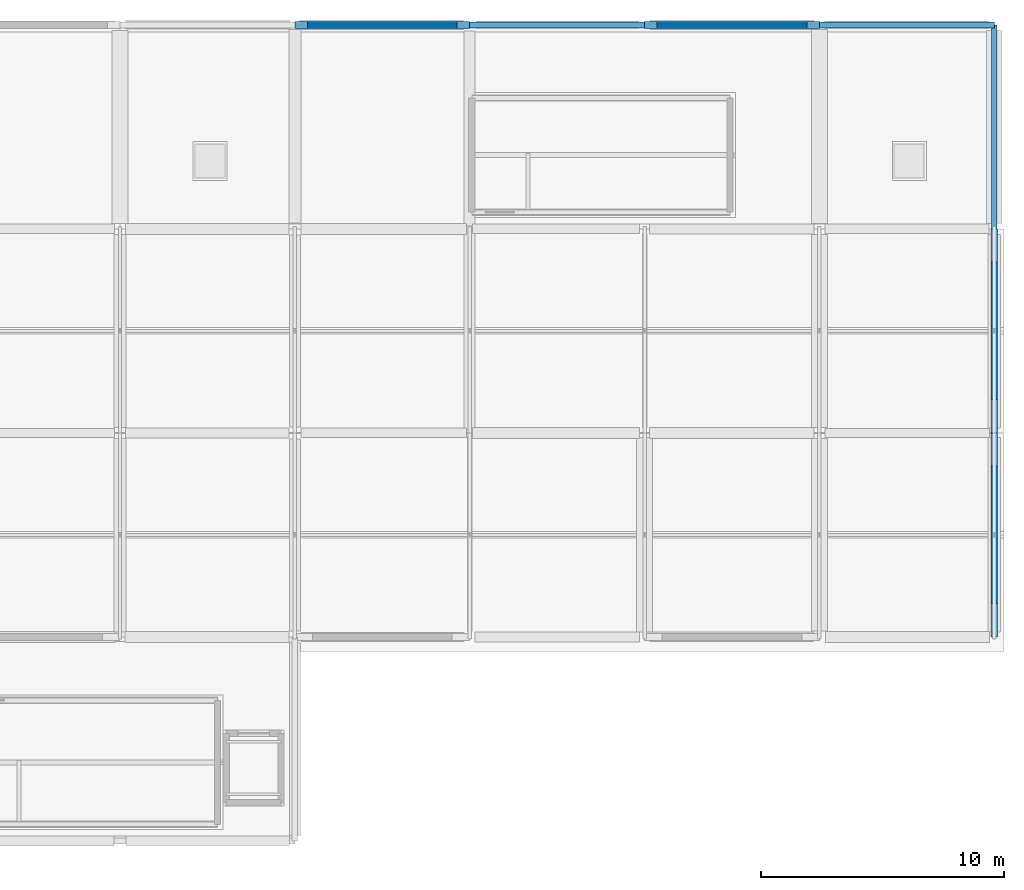
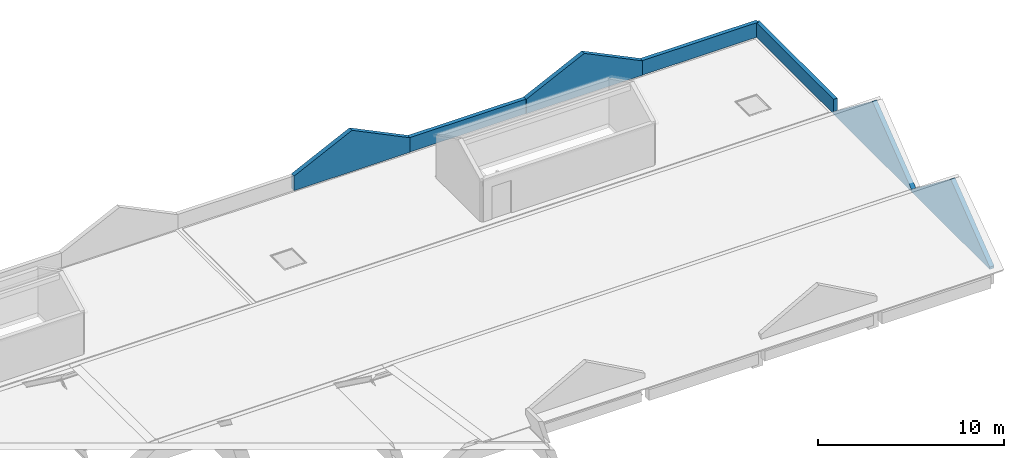
# One storey, part 4 of 5: 7 walls.
"""IFC4 building model written with IfcOpenShell, lengths in metres."""

from ifc_helpers import new_model, si_unit, direction, frame, frame_2d, origin, place, context, subcontext, project, spatial, polyline, rectangle, outline, extrude, material, layer, layer_set, type_object, element, save


model = new_model("IFC4")

# Units and contexts
model_context = context("Model", 3, precision=1e-05, world=origin(), true_north=direction((0.0, 1.0)))
body_context = subcontext(model_context, "Body", "Model", "MODEL_VIEW")
ifc_project = project(units=[si_unit("LENGTHUNIT", "METRE"), si_unit("AREAUNIT", "SQUARE_METRE"), si_unit("VOLUMEUNIT", "CUBIC_METRE"), si_unit("PLANEANGLEUNIT", "RADIAN"), si_unit("MASSUNIT", "GRAM", prefix="KILO")], contexts=[model_context])

# Site, building, storey
site_placement = place(None, origin())
site = spatial("IfcSite", under=ifc_project, at=site_placement, CompositionType="ELEMENT")
building_placement = place(site_placement, origin())
building = spatial("IfcBuilding", under=site, at=building_placement, Name="Kalluvel Institute of Natural Sciences", CompositionType="ELEMENT")
storey_placement = place(building_placement, frame((0.0, 0.0, 41.39990234375)))
storey = spatial("IfcBuildingStorey", under=building, at=storey_placement, Name="RF", CompositionType="ELEMENT", Elevation=41.39990234375)

# Walls
ifc_material = material(Name="Sadarahalli Grey Granite Ashlar Concrete M40", Category="masonry")
ifc_layer_1 = layer(ifc_material, 0.280029296875)
ifc_layer_set_1 = layer_set([ifc_layer_1], Name="Sadarahalli Grey Granite Ashlar Concrete M40")
wall_type_1 = type_object("IfcWallType", Name="WL-GABLE-280", PredefinedType="SOLIDWALL", material=ifc_layer_set_1)
wall_1_placement = place(storey_placement, frame((86.0, 102.800048828125, 0.0), z_axis=(0.0, 0.0, 1.0), x_axis=(0.0, 1.0, 0.0)))
element("IfcWall", 1, at=wall_1_placement, inside=storey, type_object=wall_type_1, Name="RF Wet Wing East Gothic gable wall", PredefinedType="SOLIDWALL", context=body_context, shape_type="SweptSolid", body=[
    extrude(outline(polyline([(0.0, 0.0), (8.39990234375, 0.0), (8.39990234375, 0.150146484375), (4.199951171875, 3.380126953125), (0.0, 0.150146484375), (0.0, 0.0)])), frame((0.0, 0.14013671875, 0.0), z_axis=(0.0, -1.0, 0.0), x_axis=(1.0, 0.0, 0.0)), (0.0, 0.0, 1.0), 0.280029296875),
])
wall_2_placement = place(storey_placement, frame((86.0, 111.199951171875, 0.0), z_axis=(0.0, 0.0, 1.0), x_axis=(0.0, 1.0, 0.0)))
element("IfcWall", 2, at=wall_2_placement, inside=storey, type_object=wall_type_1, Name="RF Wet Wing East Gothic gable wall", PredefinedType="SOLIDWALL", context=body_context, shape_type="SweptSolid", body=[
    extrude(outline(polyline([(0.0, 0.0), (8.400146484375, 0.0), (8.39990234375, 0.150146484375), (4.199951171875, 3.380126953125), (0.0, 0.150146484375), (0.0, 0.0)])), frame((0.0, 0.14013671875, 0.0), z_axis=(0.0, -1.0, 0.0), x_axis=(1.0, 0.0, 0.0)), (0.0, 0.0, 1.0), 0.280029296875),
])
for number, where, z_axis, x_axis, name in (
    (3, (57.199951171875, 128.0, 0.0), (0.0, 0.0, 1.0), (1.0, 0.0, 0.0), "RF Wet Wing North Gothic cross-gable parapet"),
    (4, (71.60009765625, 128.0, 0.0), (0.0, 0.0, 1.0), (1.0, 0.0, 0.0), "RF Wet Wing North Gothic cross-gable parapet"),
):
    element("IfcWall", number, at=place(storey_placement, frame(where, z_axis=z_axis, x_axis=x_axis)), inside=storey, type_object=wall_type_1, Name=name, PredefinedType="SOLIDWALL", context=body_context, shape_type="SweptSolid", body=[
        extrude(outline(polyline([(0.0, 0.0), (7.199951171875, 0.0), (7.199951171875, 0.9501953125), (3.60009765625, 2.7001953125), (0.0, 0.9501953125), (0.0, 0.0)])), frame((0.0, 0.14013671875, 0.0), z_axis=(0.0, -1.0, 0.0), x_axis=(1.0, 0.0, 0.0)), (0.0, 0.0, 1.0), 0.280029296875),
    ])
ifc_layer_2 = layer(ifc_material, 0.239990234375)
ifc_layer_set_2 = layer_set([ifc_layer_2], Name="Sadarahalli Grey Granite Ashlar Concrete M40")
wall_type_2 = type_object("IfcWallType", Name="WL-PAR-240", PredefinedType="PARAPET", material=ifc_layer_set_2)
wall_3_placement = place(storey_placement, frame((64.39990234375, 128.0, 0.0), z_axis=(0.0, 0.0, 1.0), x_axis=(1.0, 0.0, 0.0)))
element("IfcWall", 5, at=wall_3_placement, inside=storey, type_object=wall_type_2, Name="RF maintenance roof stone parapet 5", PredefinedType="PARAPET", context=body_context, shape_type="SweptSolid", body=[
    extrude(rectangle(XDim=7.2001953125, YDim=0.239990234375, at=frame_2d((3.60009765625, 0.0))), origin(), (0.0, 0.0, 1.0), 0.9501953125),
])
wall_4_placement = place(storey_placement, frame((78.800048828125, 128.0, 0.0), z_axis=(0.0, 0.0, 1.0), x_axis=(1.0, 0.0, 0.0)))
element("IfcWall", 6, at=wall_4_placement, inside=storey, type_object=wall_type_2, Name="RF maintenance roof stone parapet 6", PredefinedType="PARAPET", context=body_context, shape_type="SweptSolid", body=[
    extrude(rectangle(XDim=7.199951171875, YDim=0.239990234375, at=frame_2d((3.60009765625, 0.0))), origin(), (0.0, 0.0, 1.0), 0.9501953125),
])
wall_5_placement = place(storey_placement, frame((86.0, 128.0, 0.0), z_axis=(0.0, 0.0, 1.0), x_axis=(0.0, -1.0, 0.0)))
element("IfcWall", 7, at=wall_5_placement, inside=storey, type_object=wall_type_2, Name="RF maintenance roof stone parapet 7", PredefinedType="PARAPET", context=body_context, shape_type="SweptSolid", body=[
    extrude(rectangle(XDim=8.39990234375, YDim=0.239990234375, at=frame_2d((4.199951171875, 0.0))), origin(), (0.0, 0.0, 1.0), 0.9501953125),
])

save(model, "model.ifc")
